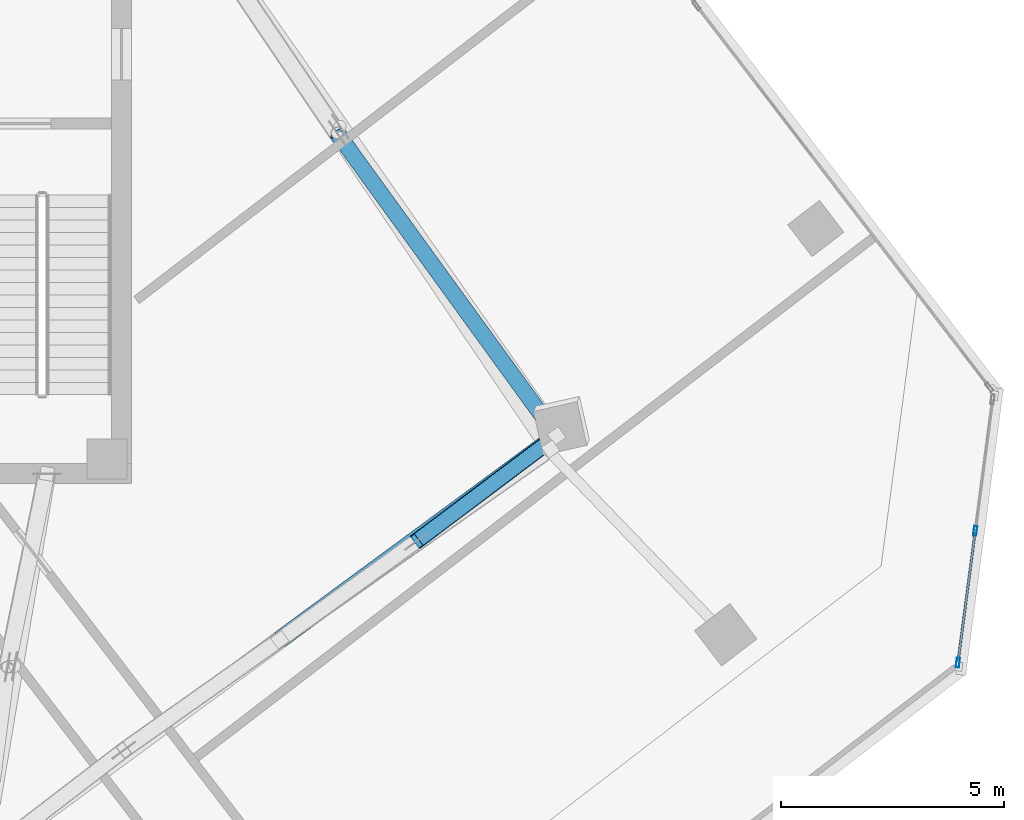
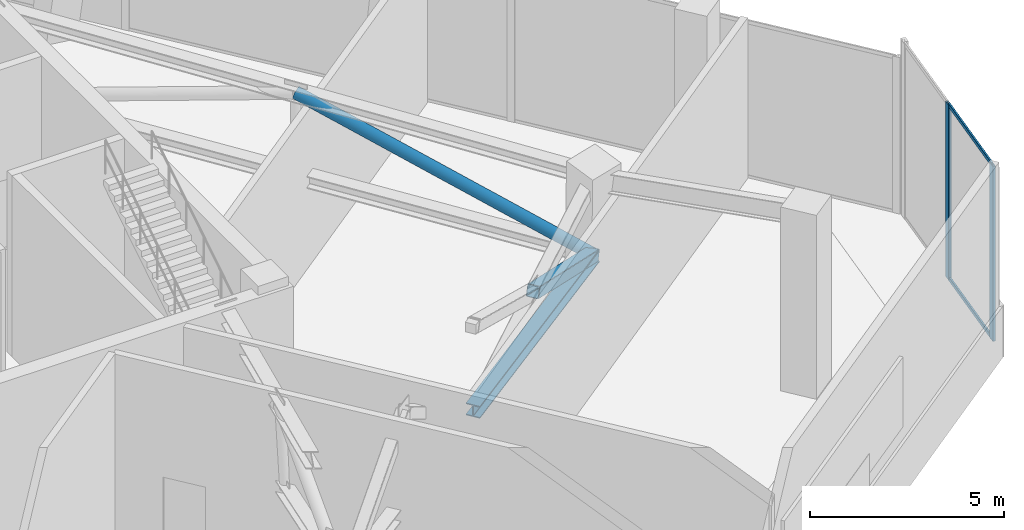
# One storey, part 7 of 19: 7 members, 1 element without a shape of its own.
"""IFC4 building model written with IfcOpenShell, lengths in metres."""

from ifc_helpers import new_model, si_unit, direction, frame, origin, origin_2d, place, context, subcontext, project, spatial, hollow_rectangle, hollow_circle, i_section, extrude, source, transform, mapped, material, material_profile, profile_set, type_object, element, aggregate, save


model = new_model("IFC4")

# Units and contexts
model_context = context("Model", 3, precision=1e-05, world=origin(), true_north=direction((0.0, 1.0)))
body_context = subcontext(model_context, "Body", "Model", "MODEL_VIEW")
ifc_project = project(units=[si_unit("LENGTHUNIT", "METRE"), si_unit("AREAUNIT", "SQUARE_METRE"), si_unit("VOLUMEUNIT", "CUBIC_METRE"), si_unit("PLANEANGLEUNIT", "RADIAN"), si_unit("MASSUNIT", "GRAM", prefix="KILO")], contexts=[model_context])

# Site, building, storey
site_placement = place(None, origin())
site = spatial("IfcSite", under=ifc_project, at=site_placement, CompositionType="ELEMENT")
building_placement = place(site_placement, origin())
building = spatial("IfcBuilding", under=site, at=building_placement, Name="Torre Montelarca", CompositionType="ELEMENT")
storey_placement = place(building_placement, frame((0.0, 0.0, 287.800048828125)))
storey = spatial("IfcBuildingStorey", under=building, at=storey_placement, Name="L65", CompositionType="ELEMENT", Elevation=287.800048828125)

# Members
ifc_material_1 = material(Name="Steel ASTM A500 Grade C", Category="steel")
ifc_material_profile_1 = material_profile(ifc_material_1, hollow_circle(Radius=0.177734375, WallThickness=0.015869140625, at=origin_2d()), Name="HSS355.6X15.9", Category="steel")
ifc_profile_set_1 = profile_set([ifc_material_profile_1], Name="Steel ASTM A500 Grade C")
member_type_1 = type_object("IfcMemberType", Name="MB-BR-CHS356", PredefinedType="BRACE", material=ifc_profile_set_1)
shared_shape_1 = source(origin(), body_context, "Body", "SweptSolid", [
    extrude(hollow_circle(Radius=0.177734375, WallThickness=0.015869140625, at=origin_2d()), origin(), (0.0, 0.0, 1.0), 8.81591796875),
])
member_1_placement = place(storey_placement, frame((36.53466796875, 25.06591796875, 2.75), z_axis=(-0.558736138231, 0.770726876641, 0.306258076561), x_axis=(-0.809630833997, -0.586939445464, 0.0)))
element("IfcMember", 1, at=member_1_placement, inside=storey, type_object=member_type_1, Name="L65 Outrigger Truss Diagonal 2B", PredefinedType="BRACE", context=body_context, shape_type="MappedRepresentation", body=[
    mapped(shared_shape_1, transform((0.0, 0.0, 0.0), scale=1.0)),
])
ifc_material_2 = material(Name="Steel ASTM A992 Grade 50", Category="steel")
ifc_material_profile_2 = material_profile(ifc_material_2, i_section(OverallWidth=0.39501953125, OverallDepth=0.3798828125, WebThickness=0.018798828125, FlangeThickness=0.0302734375, FilletRadius=0.014892578125, at=origin_2d()), Name="W360X237", Category="steel")
ifc_profile_set_2 = profile_set([ifc_material_profile_2], Name="Steel ASTM A992 Grade 50")
member_type_2 = type_object("IfcMemberType", Name="MB-CH-W360X237", PredefinedType="CHORD", material=ifc_profile_set_2)
shared_shape_2 = source(origin(), body_context, "Body", "SweptSolid", [
    extrude(i_section(OverallWidth=0.39501953125, OverallDepth=0.3798828125, WebThickness=0.018798828125, FlangeThickness=0.0302734375, FilletRadius=0.014892578125, at=origin_2d()), origin(), (0.0, 0.0, 1.0), 7.708251953125),
])
member_2_placement = place(storey_placement, frame((30.326904296875, 20.496337890625, 2.75), z_axis=(0.805338353993, 0.592815431301, 0.0), x_axis=(-0.592815431301, 0.805338353993, 0.0)))
element("IfcMember", 2, at=member_2_placement, inside=storey, type_object=member_type_2, Name="L65 Perimeter Belt-Truss Bottom Chord 3", PredefinedType="CHORD", context=body_context, shape_type="MappedRepresentation", body=[
    mapped(shared_shape_2, transform((0.0, 0.0, 0.0), scale=1.0)),
])
ifc_material_profile_3 = material_profile(ifc_material_1, hollow_rectangle(XDim=0.355712890625, YDim=0.355712890625, WallThickness=0.015869140625, InnerFilletRadius=0.015869140625, OuterFilletRadius=0.03173828125, at=origin_2d()), Name="HSS356X356X15.9", Category="steel")
ifc_profile_set_3 = profile_set([ifc_material_profile_3], Name="Steel ASTM A500 Grade C")
member_type_3 = type_object("IfcMemberType", Name="MB-BR-HSS356-EXT", PredefinedType="BRACE", material=ifc_profile_set_3)
shared_shape_3 = source(origin(), body_context, "Body", "SweptSolid", [
    extrude(hollow_rectangle(XDim=0.355712890625, YDim=0.355712890625, WallThickness=0.015869140625, InnerFilletRadius=0.015869140625, OuterFilletRadius=0.03173828125, at=origin_2d()), origin(), (0.0, 0.0, 1.0), 4.151123046875),
])
member_3_placement = place(storey_placement, frame((36.53466796875, 25.06591796875, 2.75), z_axis=(-0.755947597554, -0.568151699399, 0.325187447824), x_axis=(0.600805745389, -0.799395056469, 0.0)))
element("IfcMember", 3, at=member_3_placement, inside=storey, type_object=member_type_3, Name="L65 Perimeter Belt-Truss Split X-Brace Lower 3B1", PredefinedType="BRACE", context=body_context, shape_type="MappedRepresentation", body=[
    mapped(shared_shape_3, transform((0.0, 0.0, 0.0), scale=1.0)),
])

# Curtain wall, members
ifc_material_3 = material(Name="Insulated low-E laminated glass", Category="glass")
curtain_wall_type = type_object("IfcCurtainWallType", Name="CW-SYS-Z3", PredefinedType="USERDEFINED", material=ifc_material_3)
curtain_wall_placement = place(storey_placement, origin())
curtain_wall = element("IfcCurtainWall", 4, at=curtain_wall_placement, inside=storey, type_object=curtain_wall_type, Name="L65 Curtain Wall Run CW-T3-L65-E07-B1", ObjectType="UNITISED GLAZING", PredefinedType="USERDEFINED")
ifc_material_4 = material(Name="Anodised aluminium AA 6063-T6", Category="aluminium")
ifc_material_profile_4 = material_profile(ifc_material_4, hollow_rectangle(XDim=0.054931640625, YDim=0.1201171875, WallThickness=0.00341796875, InnerFilletRadius=0.00341796875, OuterFilletRadius=0.007080078125, at=origin_2d()), Name="ALU55X120X3.5", Category="aluminium")
ifc_profile_set_4 = profile_set([ifc_material_profile_4], Name="Anodised aluminium AA 6063-T6")
member_type_4 = type_object("IfcMemberType", Name="CWT-ALU120", PredefinedType="USERDEFINED", material=ifc_profile_set_4)
shared_shape_4 = source(origin(), body_context, "Body", "SweptSolid", [
    extrude(hollow_rectangle(XDim=0.054931640625, YDim=0.1201171875, WallThickness=0.00341796875, InnerFilletRadius=0.00341796875, OuterFilletRadius=0.007080078125, at=origin_2d()), origin(), (0.0, 0.0, 1.0), 2.903564453125),
])
member_4_placement = place(storey_placement, frame((45.53857421875, 20.0205078125, 0.02734375), z_axis=(0.130500189743, 0.991448284318, 0.0), x_axis=(-0.991448284318, 0.130500189743, 0.0)))
member_4 = element("IfcMember", 5, at=member_4_placement, type_object=member_type_4, Name="CW transom 1.1", ObjectType="TRANSOM", PredefinedType="USERDEFINED", context=body_context, shape_type="MappedRepresentation", body=[
    mapped(shared_shape_4, transform((0.0, 0.0, 0.0), scale=1.0)),
])
member_5_placement = place(storey_placement, frame((45.53857421875, 20.0205078125, 5.492431640625), z_axis=(0.130500189743, 0.991448284318, 0.0), x_axis=(-0.991448284318, 0.130500189743, 0.0)))
member_5 = element("IfcMember", 6, at=member_5_placement, type_object=member_type_4, Name="CW transom 1.2", ObjectType="TRANSOM", PredefinedType="USERDEFINED", context=body_context, shape_type="MappedRepresentation", body=[
    mapped(shared_shape_4, transform((0.0, 0.0, 0.0), scale=1.0)),
])
ifc_material_profile_5 = material_profile(ifc_material_4, hollow_rectangle(XDim=0.074951171875, YDim=0.219970703125, WallThickness=0.0048828125, InnerFilletRadius=0.0048828125, OuterFilletRadius=0.010009765625, at=origin_2d()), Name="ALU75X220X5", Category="aluminium")
ifc_profile_set_5 = profile_set([ifc_material_profile_5], Name="Anodised aluminium AA 6063-T6")
member_type_5 = type_object("IfcMemberType", Name="CWM-ALU220", PredefinedType="MULLION", material=ifc_profile_set_5)
shared_shape_5 = source(origin(), body_context, "Body", "SweptSolid", [
    extrude(hollow_rectangle(XDim=0.074951171875, YDim=0.219970703125, WallThickness=0.0048828125, InnerFilletRadius=0.0048828125, OuterFilletRadius=0.010009765625, at=origin_2d()), origin(), (0.0, 0.0, 1.0), 5.52001953125),
])
member_6_placement = place(storey_placement, frame((45.53369140625, 19.9833984375, 0.0), z_axis=(0.0, 0.0, 1.0), x_axis=(-0.991446450787, 0.130514118862, 0.0)))
member_6 = element("IfcMember", 7, at=member_6_placement, type_object=member_type_5, Name="CW mullion 1", PredefinedType="MULLION", context=body_context, shape_type="MappedRepresentation", body=[
    mapped(shared_shape_5, transform((0.0, 0.0, 0.0), scale=1.0)),
])
member_7_placement = place(storey_placement, frame((45.92236328125, 22.9365234375, 0.0), z_axis=(0.0, 0.0, 1.0), x_axis=(-0.991446450787, 0.130514118862, 0.0)))
member_7 = element("IfcMember", 8, at=member_7_placement, type_object=member_type_5, Name="CW mullion 2", PredefinedType="MULLION", context=body_context, shape_type="MappedRepresentation", body=[
    mapped(shared_shape_5, transform((0.0, 0.0, 0.0), scale=1.0)),
])
aggregate(curtain_wall, [member_6, member_7, member_4, member_5])

save(model, "model.ifc")
